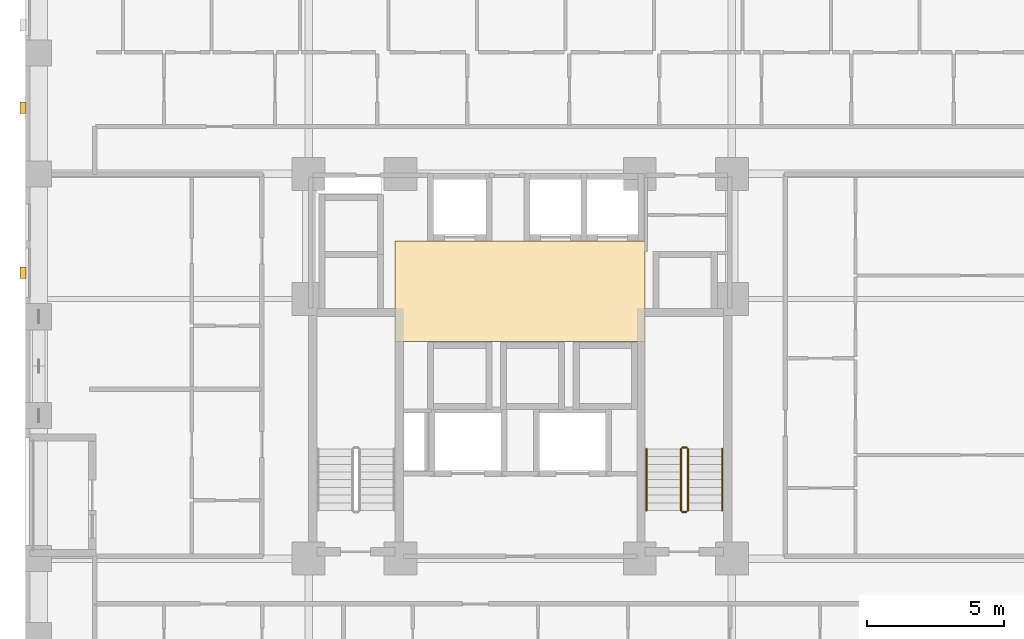
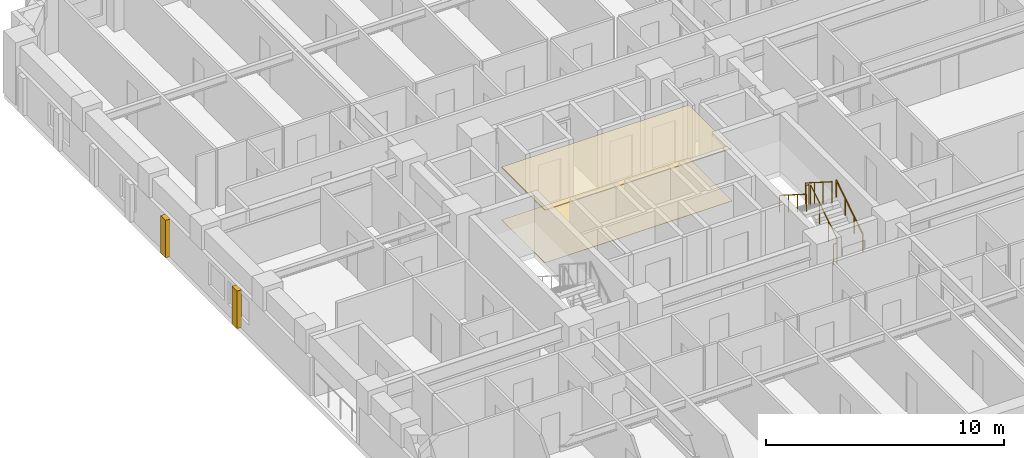
# One storey, part 13 of 14: 6 railings, 4 coverings.
"""IFC4 building model written with IfcOpenShell, lengths in metres."""

from ifc_helpers import new_model, si_unit, derived_unit, direction, frame, origin, origin_2d, place, context, subcontext, project, spatial, polyline, rectangle, circle, outline, extrude, material, layer, layer_set, type_object, element, save


model = new_model("IFC4")

# Units and contexts
model_context = context("Model", 3, precision=1e-05, world=origin(), true_north=direction((0.0, 1.0)))
body_context = subcontext(model_context, "Body", "Model", "MODEL_VIEW")
ifc_project = project(units=[si_unit("LENGTHUNIT", "METRE"), si_unit("AREAUNIT", "SQUARE_METRE"), si_unit("VOLUMEUNIT", "CUBIC_METRE"), si_unit("PLANEANGLEUNIT", "RADIAN"), si_unit("MASSUNIT", "GRAM", prefix="KILO"), derived_unit("THERMALTRANSMITTANCEUNIT", [(si_unit("MASSUNIT", "GRAM", prefix="KILO"), 1), (si_unit("TIMEUNIT", "SECOND"), -3), (si_unit("THERMODYNAMICTEMPERATUREUNIT", "KELVIN"), -1)])], contexts=[model_context])

# Site, building, storey
site_placement = place(None, origin())
site = spatial("IfcSite", under=ifc_project, at=site_placement, CompositionType="ELEMENT")
building_placement = place(site_placement, origin())
building = spatial("IfcBuilding", under=site, at=building_placement, Name="Korrvale Station Residences", CompositionType="ELEMENT")
storey_placement = place(building_placement, frame((0.0, 0.0, 38.60009765625)))
storey = spatial("IfcBuildingStorey", under=building, at=storey_placement, Name="L09", CompositionType="ELEMENT", Elevation=38.60009765625)

# Coverings
ifc_material_1 = material(Name="Perforated acoustic mineral-fibre suspended ceiling", Category="gypsum")
ifc_layer_1 = layer(ifc_material_1, 0.050048828125, Name="Perforated acoustic mineral-fibre suspended ceiling")
ifc_layer_set_1 = layer_set([ifc_layer_1], Name="Perforated acoustic mineral-fibre suspended ceiling")
covering_type_1 = type_object("IfcCoveringType", Name="COV-CLG-AC60", PredefinedType="CEILING", material=ifc_layer_set_1)
covering_1_placement = place(storey_placement, frame((0.0, 0.0, 2.68994140625)))
element("IfcCovering", 1, at=covering_1_placement, inside=storey, type_object=covering_type_1, Name="L09 Elevator Lobby Acoustic Ceiling", PredefinedType="CEILING", context=body_context, shape_type="SweptSolid", body=[
    extrude(outline(polyline([(20.949951171875, 22.89990234375), (30.050048828125, 22.89990234375), (30.050048828125, 26.550048828125), (20.949951171875, 26.550048828125), (20.949951171875, 22.89990234375)])), origin(), (0.0, 0.0, 1.0), 0.050048828125),
])
ifc_material_2 = material(Name="Polished quartz-terrazzo lobby flooring", Category="masonry")
ifc_layer_2 = layer(ifc_material_2, 0.02001953125, Name="Polished quartz-terrazzo lobby flooring")
ifc_layer_set_2 = layer_set([ifc_layer_2], Name="Polished quartz-terrazzo lobby flooring")
covering_type_2 = type_object("IfcCoveringType", Name="COV-FLR-TER20", PredefinedType="FLOORING", material=ifc_layer_set_2)
covering_2_placement = place(storey_placement, origin())
element("IfcCovering", 2, at=covering_2_placement, inside=storey, type_object=covering_type_2, Name="L09 Elevator Lobby Terrazzo Flooring", PredefinedType="FLOORING", context=body_context, shape_type="SweptSolid", body=[
    extrude(outline(polyline([(20.949951171875, 22.89990234375), (30.050048828125, 22.89990234375), (30.050048828125, 26.550048828125), (20.949951171875, 26.550048828125), (20.949951171875, 22.89990234375)])), origin(), (0.0, 0.0, 1.0), 0.02001953125),
])
ifc_material_3 = material(Name="Architectural precast concrete C45/55", Category="concrete")
ifc_layer_3 = layer(ifc_material_3, 0.219970703125, Name="Architectural precast concrete C45/55")
ifc_layer_set_3 = layer_set([ifc_layer_3], Name="Architectural precast concrete C45/55")
covering_type_3 = type_object("IfcCoveringType", Name="COV-PIER-400", PredefinedType="CLADDING", material=ifc_layer_set_3)
for number, where, z_axis, x_axis, name in (
    (3, (7.409912109375, 25.39990234375, 0.02490234375), (0.0, 0.0, 1.0), (0.0, 1.0, 0.0), "L09 Architectural Precast Facade Pier 13"),
    (4, (7.409912109375, 31.39990234375, 0.02490234375), (0.0, 0.0, 1.0), (0.0, 1.0, 0.0), "L09 Architectural Precast Facade Pier 14"),
):
    element("IfcCovering", number, at=place(storey_placement, frame(where, z_axis=z_axis, x_axis=x_axis)), inside=storey, type_object=covering_type_3, Name=name, PredefinedType="CLADDING", context=body_context, shape_type="SweptSolid", body=[
        extrude(rectangle(XDim=0.419921875, YDim=0.219970703125, at=origin_2d()), origin(), (0.0, 0.0, 1.0), 1.925048828125),
    ])

# Railings
ifc_material_4 = material(Name="Brushed stainless-steel continuous stair handrail", Category="steel")
railing_type_1 = type_object("IfcRailingType", Name="RLG-SHND-900", PredefinedType="HANDRAIL", material=ifc_material_4)
railing_1_placement = place(storey_placement, frame((32.85009765625, 16.75, 0.177734375)))
element("IfcRailing", 5, at=railing_1_placement, inside=storey, type_object=railing_type_1, Name="L09 ST-2 stair handrail 1", PredefinedType="HANDRAIL", context=body_context, shape_type="SweptSolid", body=[
    extrude(circle(Radius=0.02392578125, at=origin_2d()), frame((0.0, 0.0, 0.8759765625), z_axis=(0.0, 0.8442293374, 0.53598211339), x_axis=(-1.0, 0.0, 0.0)), (0.0, 0.0, 1.0), 2.6533203125),
    extrude(circle(Radius=0.02099609375, at=origin_2d()), origin(), (0.0, 0.0, 1.0), 0.851806640625),
    extrude(circle(Radius=0.02099609375, at=origin_2d()), frame((0.0, 0.74658203125, 0.47412109375)), (0.0, 0.0, 1.0), 0.851806640625),
    extrude(circle(Radius=0.02099609375, at=origin_2d()), frame((0.0, 1.493408203125, 0.947998046875)), (0.0, 0.0, 1.0), 0.851806640625),
    extrude(circle(Radius=0.02099609375, at=origin_2d()), frame((0.0, 2.239990234375, 1.422119140625)), (0.0, 0.0, 1.0), 0.851806640625),
])
railing_2_placement = place(storey_placement, frame((30.10009765625, 18.989990234375, 1.777587890625)))
element("IfcRailing", 6, at=railing_2_placement, inside=storey, type_object=railing_type_1, Name="L09 ST-2 stair handrail 2", PredefinedType="HANDRAIL", context=body_context, shape_type="SweptSolid", body=[
    extrude(circle(Radius=0.02392578125, at=origin_2d()), frame((0.0, 0.0, 0.8759765625), z_axis=(0.0, -0.84418770128, 0.536047689118), x_axis=(1.0, 0.0, 0.0)), (0.0, 0.0, 1.0), 2.6533203125),
    extrude(circle(Radius=0.02099609375, at=origin_2d()), origin(), (0.0, 0.0, 1.0), 0.851806640625),
    extrude(circle(Radius=0.02099609375, at=origin_2d()), frame((0.0, -0.74658203125, 0.47412109375)), (0.0, 0.0, 1.0), 0.851806640625),
    extrude(circle(Radius=0.02099609375, at=origin_2d()), frame((0.0, -1.493408203125, 0.9482421875)), (0.0, 0.0, 1.0), 0.851806640625),
    extrude(circle(Radius=0.02099609375, at=origin_2d()), frame((0.0, -2.239990234375, 1.42236328125)), (0.0, 0.0, 1.0), 0.851806640625),
])
ifc_material_5 = material(Name="Galvanised painted tubular steel stair guard", Category="steel")
railing_type_2 = type_object("IfcRailingType", Name="RLG-STR-1100", PredefinedType="GUARDRAIL", material=ifc_material_5)
railing_3_placement = place(storey_placement, frame((31.60009765625, 16.75, 0.177734375)))
element("IfcRailing", 7, at=railing_3_placement, inside=storey, type_object=railing_type_2, Name="L09 ST-2 stair guard 1", PredefinedType="GUARDRAIL", context=body_context, shape_type="SweptSolid", body=[
    extrude(circle(Radius=0.02392578125, at=origin_2d()), frame((0.0, 0.0, 1.076171875), z_axis=(0.0, 0.8442293374, 0.53598211339), x_axis=(-1.0, 0.0, 0.0)), (0.0, 0.0, 1.0), 2.6533203125),
    extrude(circle(Radius=0.02099609375, at=origin_2d()), origin(), (0.0, 0.0, 1.0), 1.052001953125),
    extrude(circle(Radius=0.02099609375, at=origin_2d()), frame((0.0, 0.74658203125, 0.47412109375)), (0.0, 0.0, 1.0), 1.052001953125),
    extrude(circle(Radius=0.02099609375, at=origin_2d()), frame((0.0, 1.493408203125, 0.947998046875)), (0.0, 0.0, 1.0), 1.052001953125),
    extrude(circle(Radius=0.02099609375, at=origin_2d()), frame((0.0, 2.239990234375, 1.422119140625)), (0.0, 0.0, 1.0), 1.052001953125),
])
railing_4_placement = place(storey_placement, frame((31.550048828125, 19.0400390625, 1.599853515625)))
element("IfcRailing", 8, at=railing_4_placement, inside=storey, type_object=railing_type_2, Name="L09 ST-2 stair guard 2", PredefinedType="GUARDRAIL", context=body_context, shape_type="SweptSolid", body=[
    extrude(circle(Radius=0.02392578125, at=origin_2d()), frame((0.0, 0.0, 1.076171875), z_axis=(-1.0, 0.0, 0.0), x_axis=(0.0, -1.0, 0.0)), (0.0, 0.0, 1.0), 0.150146484375),
    extrude(circle(Radius=0.02099609375, at=origin_2d()), origin(), (0.0, 0.0, 1.0), 1.052001953125),
    extrude(circle(Radius=0.02099609375, at=origin_2d()), frame((-0.150146484375, 0.0, 0.0)), (0.0, 0.0, 1.0), 1.052001953125),
])
railing_5_placement = place(storey_placement, frame((31.35009765625, 18.989990234375, 1.777587890625)))
element("IfcRailing", 9, at=railing_5_placement, inside=storey, type_object=railing_type_2, Name="L09 ST-2 stair guard 3", PredefinedType="GUARDRAIL", context=body_context, shape_type="SweptSolid", body=[
    extrude(circle(Radius=0.02392578125, at=origin_2d()), frame((0.0, 0.0, 1.076171875), z_axis=(0.0, -0.84418770128, 0.536047689118), x_axis=(1.0, 0.0, 0.0)), (0.0, 0.0, 1.0), 2.6533203125),
    extrude(circle(Radius=0.02099609375, at=origin_2d()), origin(), (0.0, 0.0, 1.0), 1.052001953125),
    extrude(circle(Radius=0.02099609375, at=origin_2d()), frame((0.0, -0.74658203125, 0.47412109375)), (0.0, 0.0, 1.0), 1.052001953125),
    extrude(circle(Radius=0.02099609375, at=origin_2d()), frame((0.0, -1.493408203125, 0.9482421875)), (0.0, 0.0, 1.0), 1.052001953125),
    extrude(circle(Radius=0.02099609375, at=origin_2d()), frame((0.0, -2.239990234375, 1.42236328125)), (0.0, 0.0, 1.0), 1.052001953125),
])
railing_6_placement = place(storey_placement, frame((31.550048828125, 16.699951171875, 0.0)))
element("IfcRailing", 10, at=railing_6_placement, inside=storey, type_object=railing_type_2, Name="L09 ST-2 stair guard 4", PredefinedType="GUARDRAIL", context=body_context, shape_type="SweptSolid", body=[
    extrude(circle(Radius=0.02392578125, at=origin_2d()), frame((0.0, 0.0, 1.076171875), z_axis=(-1.0, 0.0, 0.0), x_axis=(0.0, -1.0, 0.0)), (0.0, 0.0, 1.0), 0.150146484375),
    extrude(circle(Radius=0.02099609375, at=origin_2d()), origin(), (0.0, 0.0, 1.0), 1.052001953125),
    extrude(circle(Radius=0.02099609375, at=origin_2d()), frame((-0.150146484375, 0.0, 0.0)), (0.0, 0.0, 1.0), 1.052001953125),
])

save(model, "model.ifc")
